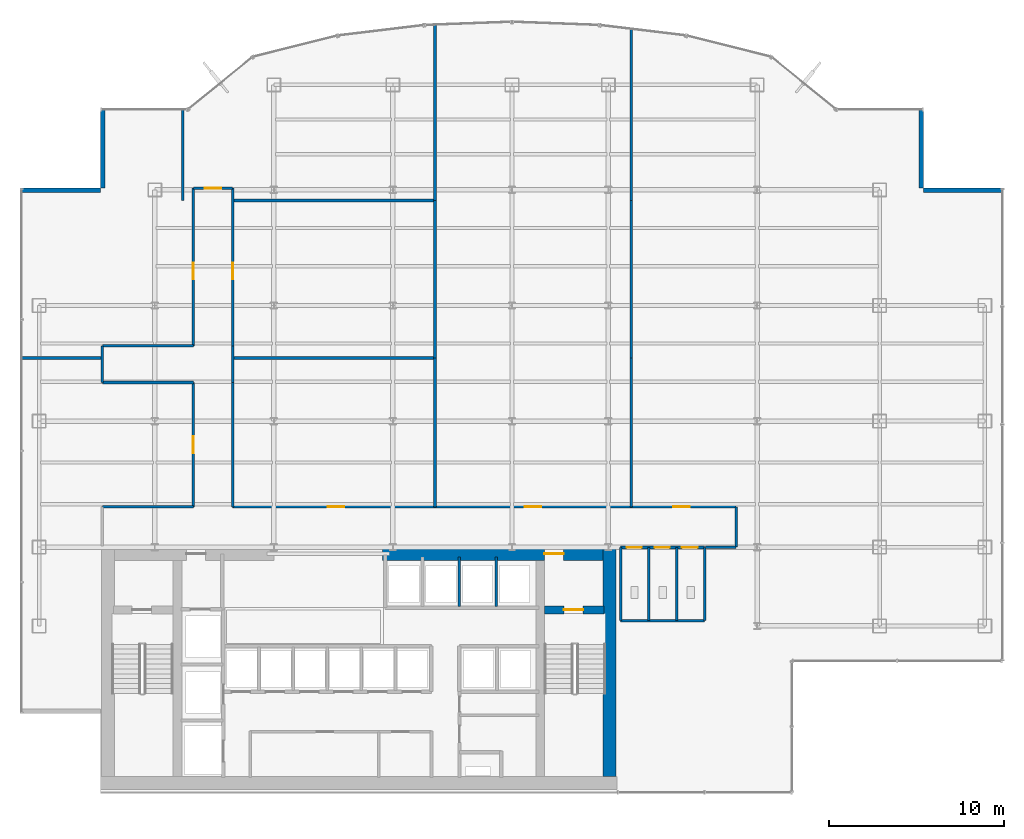
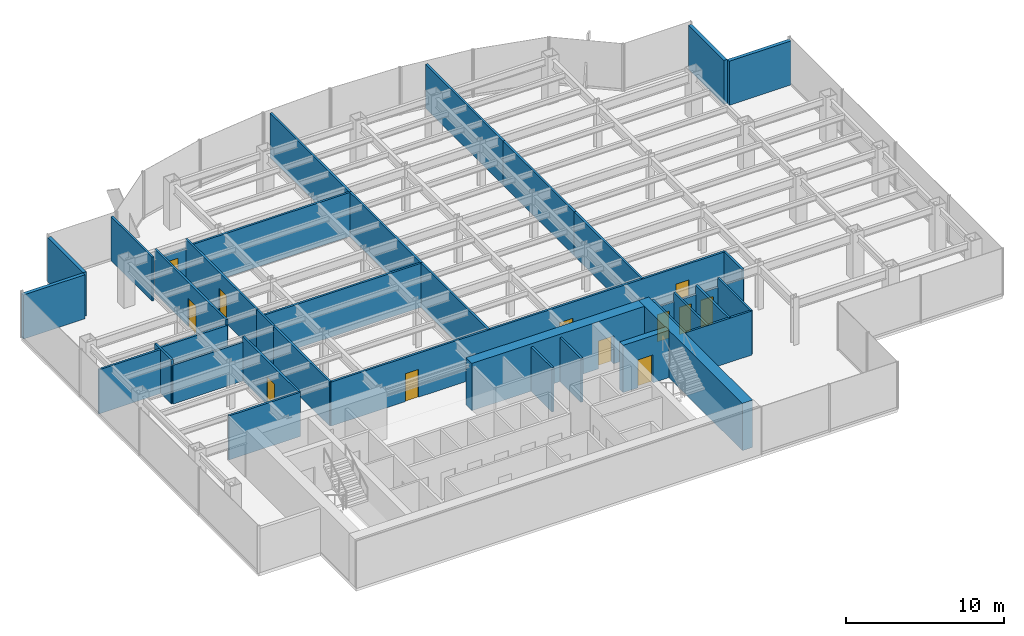
# One storey, part 22 of 26: 38 walls, 12 doors, 12 openings.
"""IFC4 building model written with IfcOpenShell, lengths in metres."""

from ifc_helpers import new_model, si_unit, derived_unit, direction, frame, frame_2d, origin, place, context, subcontext, project, spatial, rectangle, extrude, source, transform, mapped, material, layer, layer_set, type_object, element, fill, save


model = new_model("IFC4")

# Units and contexts
model_context = context("Model", 3, precision=1e-05, world=origin(), true_north=direction((0.0, 1.0)))
body_context = subcontext(model_context, "Body", "Model", "MODEL_VIEW")
ifc_project = project(units=[si_unit("LENGTHUNIT", "METRE"), si_unit("AREAUNIT", "SQUARE_METRE"), si_unit("VOLUMEUNIT", "CUBIC_METRE"), si_unit("PLANEANGLEUNIT", "RADIAN"), si_unit("MASSUNIT", "GRAM", prefix="KILO"), derived_unit("THERMALTRANSMITTANCEUNIT", [(si_unit("POWERUNIT", "WATT"), 1), (si_unit("LENGTHUNIT", "METRE"), -2), (si_unit("THERMODYNAMICTEMPERATUREUNIT", "KELVIN"), -1)])], contexts=[model_context])

# Site, building, storey
site_placement = place(None, origin())
site = spatial("IfcSite", under=ifc_project, at=site_placement, CompositionType="ELEMENT")
building_placement = place(site_placement, origin())
building = spatial("IfcBuilding", under=site, at=building_placement, Name="Skarnbrae Concourse Arena and Tower", CompositionType="ELEMENT")
storey_placement = place(building_placement, frame((0.0, 0.0, 106.89990234375)))
storey = spatial("IfcBuildingStorey", under=building, at=storey_placement, Name="L26", CompositionType="ELEMENT", Elevation=106.89990234375)

# Wall, opening, door
ifc_material_1 = material(Name="Concrete 50 MPa (C50/60)", Category="concrete")
ifc_layer_1 = layer(ifc_material_1, 0.449951171875)
ifc_layer_set_1 = layer_set([ifc_layer_1], Name="Concrete 50 MPa (C50/60)")
wall_type_1 = type_object("IfcWallType", Name="WALL-CORE-450-C50", PredefinedType="SHEAR", material=ifc_layer_set_1)
shared_shape_1 = source(origin(), body_context, "Body", "SweptSolid", [
    extrude(rectangle(XDim=3.389892578125, YDim=0.449951171875, at=frame_2d((1.69482421875, 0.0))), origin(), (0.0, 0.0, 1.0), 3.650146484375),
])
wall_1_placement = place(storey_placement, frame((29.860107421875, 10.419921875, 0.0), z_axis=(0.0, 0.0, 1.0), x_axis=(1.0, 0.0, 0.0)))
wall_1 = element("IfcWall", 1, at=wall_1_placement, inside=storey, type_object=wall_type_1, Name="L26 Rear core shear wall CW-ST2-N", PredefinedType="SHEAR", context=body_context, shape_type="MappedRepresentation", body=[
    mapped(shared_shape_1, transform((0.0, 0.0, 0.0))),
])
opening_1_placement = place(wall_1_placement, frame((1.10009765625, 0.0, 0.0)))
opening_1 = element("IfcOpeningElement", 2, at=opening_1_placement, cuts=wall_1, Name="Opening DT-03", PredefinedType="OPENING", context=body_context, shape_type="SweptSolid", body=[
    extrude(rectangle(XDim=1.10009765625, YDim=2.14990234375, at=frame_2d((0.550048828125, 1.074951171875))), frame((0.0, 0.23486328125, 0.0), z_axis=(0.0, -1.0, 0.0), x_axis=(1.0, 0.0, 0.0)), (0.0, 0.0, 1.0), 0.469970703125),
])
ifc_material_2 = material(Name="Steel CSA G40.21 350W", Category="steel")
door_type_1 = type_object("IfcDoorType", Name="DOOR-FIRE-1100-90M", OperationType="NOTDEFINED", PredefinedType="DOOR", material=ifc_material_2)
shared_shape_2 = source(origin(), body_context, "Body", "SweptSolid", [
    extrude(rectangle(XDim=1.10009765625, YDim=2.14990234375, at=frame_2d((0.550048828125, 1.074951171875))), frame((0.0, 0.02490234375, 0.0), z_axis=(0.0, -1.0, 0.0), x_axis=(1.0, 0.0, 0.0)), (0.0, 0.0, 1.0), 0.050048828125),
])
door_1_placement = place(opening_1_placement, frame((1.10009765625, 0.0, 0.0), z_axis=(0.0, 0.0, 1.0), x_axis=(-1.0, 0.0, 0.0)))
door_1 = element("IfcDoor", 3, at=door_1_placement, inside=storey, type_object=door_type_1, Name="D-0868 Stair ST-2 Door", OperationType="SINGLE_SWING_RIGHT", OverallHeight=2.14990234375, OverallWidth=1.10009765625, PredefinedType="DOOR", context=body_context, shape_type="MappedRepresentation", body=[
    mapped(shared_shape_2, transform((0.0, 0.0, 0.0))),
])
fill(opening_1, door_1)

# Wall
ifc_material_3 = material(Name="Concrete 60 MPa (C60/75)", Category="concrete")
ifc_layer_2 = layer(ifc_material_3, 0.75)
ifc_layer_set_2 = layer_set([ifc_layer_2], Name="Concrete 60 MPa (C60/75)")
wall_type_2 = type_object("IfcWallType", Name="WALL-CORE-750-C60", PredefinedType="SHEAR", material=ifc_layer_set_2)
shared_shape_3 = source(origin(), body_context, "Body", "SweptSolid", [
    extrude(rectangle(XDim=13.10009765625, YDim=0.75, at=frame_2d((6.550048828125, 0.0))), origin(), (0.0, 0.0, 1.0), 3.650146484375),
])
wall_2_placement = place(storey_placement, frame((33.574951171875, 0.89990234375, 0.0), z_axis=(0.0, 0.0, 1.0), x_axis=(0.0, 1.0, 0.0)))
element("IfcWall", 4, at=wall_2_placement, inside=storey, type_object=wall_type_2, Name="L26 Rear core shear wall CW-E", PredefinedType="SHEAR", context=body_context, shape_type="MappedRepresentation", body=[
    mapped(shared_shape_3, transform((0.0, 0.0, 0.0))),
])

# Wall, opening, door
shared_shape_4 = source(origin(), body_context, "Body", "SweptSolid", [
    extrude(rectangle(XDim=12.599853515625, YDim=0.75, at=frame_2d((6.2998046875, 0.0))), origin(), (0.0, 0.0, 1.0), 3.650146484375),
])
wall_3_placement = place(storey_placement, frame((20.60009765625, 13.625, 0.0), z_axis=(0.0, 0.0, 1.0), x_axis=(1.0, 0.0, 0.0)))
wall_3 = element("IfcWall", 5, at=wall_3_placement, inside=storey, type_object=wall_type_2, Name="L26 Rear core shear wall CW-NE", PredefinedType="SHEAR", context=body_context, shape_type="MappedRepresentation", body=[
    mapped(shared_shape_4, transform((0.0, 0.0, 0.0))),
])
opening_2_placement = place(wall_3_placement, frame((9.25, 0.0, 0.0)))
opening_2 = element("IfcOpeningElement", 6, at=opening_2_placement, cuts=wall_3, Name="Opening DT-03", PredefinedType="OPENING", context=body_context, shape_type="SweptSolid", body=[
    extrude(rectangle(XDim=1.10009765625, YDim=2.14990234375, at=frame_2d((0.550048828125, 1.074951171875))), frame((0.0, 0.385009765625, 0.0), z_axis=(0.0, -1.0, 0.0), x_axis=(1.0, 0.0, 0.0)), (0.0, 0.0, 1.0), 0.77001953125),
])
door_2_placement = place(opening_2_placement, origin())
door_2 = element("IfcDoor", 7, at=door_2_placement, inside=storey, type_object=door_type_1, Name="D-0870 Stair ST-2 Vestibule Door", OperationType="SINGLE_SWING_LEFT", OverallHeight=2.14990234375, OverallWidth=1.10009765625, PredefinedType="DOOR", context=body_context, shape_type="MappedRepresentation", body=[
    mapped(shared_shape_2, transform((0.0, 0.0, 0.0))),
])
fill(opening_2, door_2)

# Walls
ifc_material_4 = material(Name="Precast concrete 40 MPa (C40/50)", Category="concrete")
ifc_layer_3 = layer(ifc_material_4, 0.25)
ifc_layer_set_3 = layer_set([ifc_layer_3], Name="Precast concrete 40 MPa (C40/50)")
wall_type_3 = type_object("IfcWallType", Name="WALL-EXT-SPANDREL-250", PredefinedType="STANDARD", material=ifc_layer_set_3)
shared_shape_5 = source(origin(), body_context, "Body", "SweptSolid", [
    extrude(rectangle(XDim=4.5, YDim=0.25, at=frame_2d((2.25, 0.0))), origin(), (0.0, 0.0, 1.0), 3.400146484375),
])
for number, where, z_axis, x_axis, name in (
    (8, (56.0, 34.375, 0.0), (0.0, 0.0, 1.0), (-1.0, 0.0, 0.0), "L26 Notched corner insulated return wall 05"),
    (9, (51.375, 34.5, 0.0), (0.0, 0.0, 1.0), (0.0, 1.0, 0.0), "L26 Notched corner insulated return wall 06"),
    (10, (4.625, 39.0, 0.0), (0.0, 0.0, 1.0), (0.0, -1.0, 0.0), "L26 Notched corner insulated return wall 17"),
    (11, (4.5, 34.375, 0.0), (0.0, 0.0, 1.0), (-1.0, 0.0, 0.0), "L26 Notched corner insulated return wall 18"),
):
    element("IfcWall", number, at=place(storey_placement, frame(where, z_axis=z_axis, x_axis=x_axis)), inside=storey, type_object=wall_type_3, Name=name, PredefinedType="STANDARD", context=body_context, shape_type="MappedRepresentation", body=[
        mapped(shared_shape_5, transform((0.0, 0.0, 0.0))),
    ])
ifc_material_5 = material(Name="Gypsum board on cold-formed steel studs", Category="steel")
ifc_layer_4 = layer(ifc_material_5, 0.14990234375)
ifc_layer_set_4 = layer_set([ifc_layer_4], Name="Gypsum board on cold-formed steel studs")
wall_type_4 = type_object("IfcWallType", Name="WALL-PART-150", PredefinedType="PARTITIONING", material=ifc_layer_set_4)
shared_shape_6 = source(origin(), body_context, "Body", "SweptSolid", [
    extrude(rectangle(XDim=2.849853515625, YDim=0.14990234375, at=frame_2d((1.4248046875, 0.0))), origin(), (0.0, 0.0, 1.0), 3.400146484375),
])
for number, where, z_axis, x_axis, name in (
    (12, (24.989990234375, 10.60009765625, 0.0), (0.0, 0.0, 1.0), (0.0, 1.0, 0.0), "L26 Interior partition wall W-L26-B3N-P2"),
    (13, (27.090087890625, 10.60009765625, 0.0), (0.0, 0.0, 1.0), (0.0, 1.0, 0.0), "L26 Interior partition wall W-L26-B3N-P3"),
):
    element("IfcWall", number, at=place(storey_placement, frame(where, z_axis=z_axis, x_axis=x_axis)), inside=storey, type_object=wall_type_4, Name=name, PredefinedType="PARTITIONING", context=body_context, shape_type="MappedRepresentation", body=[
        mapped(shared_shape_6, transform((0.0, 0.0, 0.0))),
    ])
shared_shape_7 = source(origin(), body_context, "Body", "SweptSolid", [
    extrude(rectangle(XDim=4.800048828125, YDim=0.14990234375, at=frame_2d((2.39990234375, 0.0))), origin(), (0.0, 0.0, 1.0), 3.400146484375),
])
wall_4_placement = place(storey_placement, frame((34.199951171875, 9.800048828125, 0.0), z_axis=(0.0, 0.0, 1.0), x_axis=(1.0, 0.0, 0.0)))
element("IfcWall", 14, at=wall_4_placement, inside=storey, type_object=wall_type_4, Name="L26 Interior partition wall W-L26-WC-S", PredefinedType="PARTITIONING", context=body_context, shape_type="MappedRepresentation", body=[
    mapped(shared_shape_7, transform((0.0, 0.0, 0.0))),
])
shared_shape_8 = source(origin(), body_context, "Body", "SweptSolid", [
    extrude(rectangle(XDim=4.179931640625, YDim=0.14990234375, at=frame_2d((2.08984375, 0.0))), origin(), (0.0, 0.0, 1.0), 3.400146484375),
])
for number, where, z_axis, x_axis, name in (
    (15, (39.0, 9.800048828125, 0.0), (0.0, 0.0, 1.0), (0.0, 1.0, 0.0), "L26 Interior partition wall W-L26-WC-E"),
    (16, (34.199951171875, 9.800048828125, 0.0), (0.0, 0.0, 1.0), (0.0, 1.0, 0.0), "L26 Interior partition wall W-L26-WC-W"),
    (17, (35.800048828125, 9.800048828125, 0.0), (0.0, 0.0, 1.0), (0.0, 1.0, 0.0), "L26 Interior partition wall W-L26-WC-D1"),
    (18, (37.39990234375, 9.800048828125, 0.0), (0.0, 0.0, 1.0), (0.0, 1.0, 0.0), "L26 Interior partition wall W-L26-WC-D2"),
):
    element("IfcWall", number, at=place(storey_placement, frame(where, z_axis=z_axis, x_axis=x_axis)), inside=storey, type_object=wall_type_4, Name=name, PredefinedType="PARTITIONING", context=body_context, shape_type="MappedRepresentation", body=[
        mapped(shared_shape_8, transform((0.0, 0.0, 0.0))),
    ])

# Wall, openings, doors
shared_shape_9 = source(origin(), body_context, "Body", "SweptSolid", [
    extrude(rectangle(XDim=4.800048828125, YDim=0.14990234375, at=frame_2d((2.39990234375, 0.0))), origin(), (0.0, 0.0, 1.0), 2.7021484375),
])
wall_5_placement = place(storey_placement, frame((34.199951171875, 13.97998046875, 0.0), z_axis=(0.0, 0.0, 1.0), x_axis=(1.0, 0.0, 0.0)))
wall_5 = element("IfcWall", 19, at=wall_5_placement, inside=storey, type_object=wall_type_4, Name="L26 Interior partition wall W-L26-WC-N", PredefinedType="PARTITIONING", context=body_context, shape_type="MappedRepresentation", body=[
    mapped(shared_shape_9, transform((0.0, 0.0, 0.0))),
])
opening_3_placement = place(wall_5_placement, frame((0.35009765625, 0.0, 0.0)))
opening_3 = element("IfcOpeningElement", 20, at=opening_3_placement, cuts=wall_5, Name="Opening DT-06", PredefinedType="OPENING", context=body_context, shape_type="SweptSolid", body=[
    extrude(rectangle(XDim=0.85009765625, YDim=2.10009765625, at=frame_2d((0.425048828125, 1.050048828125))), frame((0.0, 0.0849609375, 0.0), z_axis=(0.0, -1.0, 0.0), x_axis=(1.0, 0.0, 0.0)), (0.0, 0.0, 1.0), 0.169921875),
])
opening_4_placement = place(wall_5_placement, frame((1.949951171875, 0.0, 0.0)))
opening_4 = element("IfcOpeningElement", 21, at=opening_4_placement, cuts=wall_5, Name="Opening DT-06", PredefinedType="OPENING", context=body_context, shape_type="SweptSolid", body=[
    extrude(rectangle(XDim=0.85009765625, YDim=2.10009765625, at=frame_2d((0.425048828125, 1.050048828125))), frame((0.0, 0.0849609375, 0.0), z_axis=(0.0, -1.0, 0.0), x_axis=(1.0, 0.0, 0.0)), (0.0, 0.0, 1.0), 0.169921875),
])
opening_5_placement = place(wall_5_placement, frame((3.5, 0.0, 0.0)))
opening_5 = element("IfcOpeningElement", 22, at=opening_5_placement, cuts=wall_5, Name="Opening DT-05", PredefinedType="OPENING", context=body_context, shape_type="SweptSolid", body=[
    extrude(rectangle(XDim=0.89990234375, YDim=2.10009765625, at=frame_2d((0.449951171875, 1.050048828125))), frame((0.0, 0.0849609375, 0.0), z_axis=(0.0, -1.0, 0.0), x_axis=(1.0, 0.0, 0.0)), (0.0, 0.0, 1.0), 0.169921875),
])
ifc_material_6 = material(Name="Architectural oak veneer timber leaf", Category="wood")
door_type_2 = type_object("IfcDoorType", Name="DOOR-INT-850", OperationType="NOTDEFINED", PredefinedType="DOOR", material=ifc_material_6)
shared_shape_10 = source(origin(), body_context, "Body", "SweptSolid", [
    extrude(rectangle(XDim=0.85009765625, YDim=2.10009765625, at=frame_2d((0.425048828125, 1.050048828125))), frame((0.0, 0.02490234375, 0.0), z_axis=(0.0, -1.0, 0.0), x_axis=(1.0, 0.0, 0.0)), (0.0, 0.0, 1.0), 0.050048828125),
])
door_3_placement = place(opening_3_placement, frame((0.85009765625, 0.0, 0.0), z_axis=(0.0, 0.0, 1.0), x_axis=(-1.0, 0.0, 0.0)))
door_3 = element("IfcDoor", 23, at=door_3_placement, inside=storey, type_object=door_type_2, Name="D-0884 Male Washroom Door", OperationType="SINGLE_SWING_LEFT", OverallHeight=2.10009765625, OverallWidth=0.85009765625, PredefinedType="DOOR", context=body_context, shape_type="MappedRepresentation", body=[
    mapped(shared_shape_10, transform((0.0, 0.0, 0.0))),
])
fill(opening_3, door_3)
door_4_placement = place(opening_4_placement, frame((0.85009765625, 0.0, 0.0), z_axis=(0.0, 0.0, 1.0), x_axis=(-1.0, 0.0, 0.0)))
door_4 = element("IfcDoor", 24, at=door_4_placement, inside=storey, type_object=door_type_2, Name="D-0885 Female Washroom Door", OperationType="SINGLE_SWING_RIGHT", OverallHeight=2.10009765625, OverallWidth=0.85009765625, PredefinedType="DOOR", context=body_context, shape_type="MappedRepresentation", body=[
    mapped(shared_shape_10, transform((0.0, 0.0, 0.0))),
])
fill(opening_4, door_4)
door_type_3 = type_object("IfcDoorType", Name="DOOR-INT-900", OperationType="NOTDEFINED", PredefinedType="DOOR", material=ifc_material_6)
shared_shape_11 = source(origin(), body_context, "Body", "SweptSolid", [
    extrude(rectangle(XDim=0.89990234375, YDim=2.10009765625, at=frame_2d((0.449951171875, 1.050048828125))), frame((0.0, 0.02490234375, 0.0), z_axis=(0.0, -1.0, 0.0), x_axis=(1.0, 0.0, 0.0)), (0.0, 0.0, 1.0), 0.050048828125),
])
door_5_placement = place(opening_5_placement, frame((0.89990234375, 0.0, 0.0), z_axis=(0.0, 0.0, 1.0), x_axis=(-1.0, 0.0, 0.0)))
door_5 = element("IfcDoor", 25, at=door_5_placement, inside=storey, type_object=door_type_3, Name="D-0886 Accessible WC Door", OperationType="SINGLE_SWING_LEFT", OverallHeight=2.10009765625, OverallWidth=0.89990234375, PredefinedType="DOOR", context=body_context, shape_type="MappedRepresentation", body=[
    mapped(shared_shape_11, transform((0.0, 0.0, 0.0))),
])
fill(opening_5, door_5)

# Wall
ifc_layer_5 = layer(ifc_material_5, 0.14990234375)
ifc_layer_set_5 = layer_set([ifc_layer_5], Name="Gypsum board on cold-formed steel studs")
wall_type_5 = type_object("IfcWallType", Name="WALL-PART-150-1HR", PredefinedType="PARTITIONING", material=ifc_layer_set_5)
shared_shape_12 = source(origin(), body_context, "Body", "SweptSolid", [
    extrude(rectangle(XDim=5.199951171875, YDim=0.14990234375, at=frame_2d((2.60009765625, 0.0))), origin(), (0.0, 0.0, 1.0), 3.400146484375),
])
wall_6_placement = place(storey_placement, frame((4.60009765625, 16.300048828125, 0.0), z_axis=(0.0, 0.0, 1.0), x_axis=(1.0, 0.0, 0.0)))
element("IfcWall", 26, at=wall_6_placement, inside=storey, type_object=wall_type_5, Name="L26 Interior partition wall W-L26-COR-02", PredefinedType="PARTITIONING", context=body_context, shape_type="MappedRepresentation", body=[
    mapped(shared_shape_12, transform((0.0, 0.0, 0.0))),
])

# Wall, opening, door
shared_shape_13 = source(origin(), body_context, "Body", "SweptSolid", [
    extrude(rectangle(XDim=7.099853515625, YDim=0.14990234375, at=frame_2d((3.5498046875, 0.0))), origin(), (0.0, 0.0, 1.0), 3.400146484375),
])
wall_7_placement = place(storey_placement, frame((9.800048828125, 16.300048828125, 0.0), z_axis=(0.0, 0.0, 1.0), x_axis=(0.0, 1.0, 0.0)))
wall_7 = element("IfcWall", 27, at=wall_7_placement, inside=storey, type_object=wall_type_5, Name="L26 Interior partition wall W-L26-COR-03", PredefinedType="PARTITIONING", context=body_context, shape_type="MappedRepresentation", body=[
    mapped(shared_shape_13, transform((0.0, 0.0, 0.0))),
])
opening_6_placement = place(wall_7_placement, frame((3.074951171875, 0.0, 0.0)))
opening_6 = element("IfcOpeningElement", 28, at=opening_6_placement, cuts=wall_7, Name="Opening DT-04", PredefinedType="OPENING", context=body_context, shape_type="SweptSolid", body=[
    extrude(rectangle(XDim=0.949951171875, YDim=2.14990234375, at=frame_2d((0.47509765625, 1.074951171875))), frame((0.0, 0.0849609375, 0.0), z_axis=(0.0, -1.0, 0.0), x_axis=(1.0, 0.0, 0.0)), (0.0, 0.0, 1.0), 0.169921875),
])
door_type_4 = type_object("IfcDoorType", Name="DOOR-INT-950-45M", OperationType="NOTDEFINED", PredefinedType="DOOR", material=ifc_material_2)
shared_shape_14 = source(origin(), body_context, "Body", "SweptSolid", [
    extrude(rectangle(XDim=0.949951171875, YDim=2.14990234375, at=frame_2d((0.47509765625, 1.074951171875))), frame((0.0, 0.02490234375, 0.0), z_axis=(0.0, -1.0, 0.0), x_axis=(1.0, 0.0, 0.0)), (0.0, 0.0, 1.0), 0.050048828125),
])
door_6_placement = place(opening_6_placement, origin())
door_6 = element("IfcDoor", 29, at=door_6_placement, inside=storey, type_object=door_type_4, Name="D-0887 L26 Suite Door 01", OperationType="SINGLE_SWING_RIGHT", OverallHeight=2.14990234375, OverallWidth=0.949951171875, PredefinedType="DOOR", context=body_context, shape_type="MappedRepresentation", body=[
    mapped(shared_shape_14, transform((0.0, 0.0, 0.0))),
])
fill(opening_6, door_6)

# Walls
wall_8_placement = place(storey_placement, frame((12.050048828125, 23.39990234375, 0.0), z_axis=(0.0, 0.0, 1.0), x_axis=(0.0, -1.0, 0.0)))
element("IfcWall", 30, at=wall_8_placement, inside=storey, type_object=wall_type_5, Name="L26 Interior partition wall W-L26-COR-11", PredefinedType="PARTITIONING", context=body_context, shape_type="MappedRepresentation", body=[
    mapped(shared_shape_13, transform((0.0, 0.0, 0.0))),
])
shared_shape_15 = source(origin(), body_context, "Body", "SweptSolid", [
    extrude(rectangle(XDim=5.199951171875, YDim=0.14990234375, at=frame_2d((2.60009765625, 0.0))), origin(), (0.0, 0.0, 1.0), 2.988037109375),
])
for number, where, z_axis, x_axis, name in (
    (31, (9.800048828125, 23.39990234375, 0.0), (0.0, 0.0, 1.0), (-1.0, 0.0, 0.0), "L26 Interior partition wall W-L26-COR-04"),
    (32, (4.60009765625, 25.5, 0.0), (0.0, 0.0, 1.0), (1.0, 0.0, 0.0), "L26 Interior partition wall W-L26-COR-06"),
):
    element("IfcWall", number, at=place(storey_placement, frame(where, z_axis=z_axis, x_axis=x_axis)), inside=storey, type_object=wall_type_5, Name=name, PredefinedType="PARTITIONING", context=body_context, shape_type="MappedRepresentation", body=[
        mapped(shared_shape_15, transform((0.0, 0.0, 0.0))),
    ])
shared_shape_16 = source(origin(), body_context, "Body", "SweptSolid", [
    extrude(rectangle(XDim=2.10009765625, YDim=0.14990234375, at=frame_2d((1.050048828125, 0.0))), origin(), (0.0, 0.0, 1.0), 3.400146484375),
])
for number, where, z_axis, x_axis, name in (
    (33, (4.60009765625, 23.39990234375, 0.0), (0.0, 0.0, 1.0), (0.0, 1.0, 0.0), "L26 Interior partition wall W-L26-COR-05"),
    (34, (12.050048828125, 25.5, 0.0), (0.0, 0.0, 1.0), (0.0, -1.0, 0.0), "L26 Interior partition wall W-L26-COR-10"),
):
    element("IfcWall", number, at=place(storey_placement, frame(where, z_axis=z_axis, x_axis=x_axis)), inside=storey, type_object=wall_type_5, Name=name, PredefinedType="PARTITIONING", context=body_context, shape_type="MappedRepresentation", body=[
        mapped(shared_shape_16, transform((0.0, 0.0, 0.0))),
    ])

# Wall, opening, door
shared_shape_17 = source(origin(), body_context, "Body", "SweptSolid", [
    extrude(rectangle(XDim=9.0, YDim=0.14990234375, at=frame_2d((4.5, 0.0))), origin(), (0.0, 0.0, 1.0), 3.400146484375),
])
wall_9_placement = place(storey_placement, frame((9.800048828125, 25.5, 0.0), z_axis=(0.0, 0.0, 1.0), x_axis=(0.0, 1.0, 0.0)))
wall_9 = element("IfcWall", 35, at=wall_9_placement, inside=storey, type_object=wall_type_5, Name="L26 Interior partition wall W-L26-COR-07", PredefinedType="PARTITIONING", context=body_context, shape_type="MappedRepresentation", body=[
    mapped(shared_shape_17, transform((0.0, 0.0, 0.0))),
])
opening_7_placement = place(wall_9_placement, frame((3.804931640625, 0.0, 0.0)))
opening_7 = element("IfcOpeningElement", 36, at=opening_7_placement, cuts=wall_9, Name="Opening DT-04", PredefinedType="OPENING", context=body_context, shape_type="SweptSolid", body=[
    extrude(rectangle(XDim=0.949951171875, YDim=2.14990234375, at=frame_2d((0.47509765625, 1.074951171875))), frame((0.0, 0.0849609375, 0.0), z_axis=(0.0, -1.0, 0.0), x_axis=(1.0, 0.0, 0.0)), (0.0, 0.0, 1.0), 0.169921875),
])
door_7_placement = place(opening_7_placement, origin())
door_7 = element("IfcDoor", 37, at=door_7_placement, inside=storey, type_object=door_type_4, Name="D-0888 L26 Suite Door 02", OperationType="SINGLE_SWING_LEFT", OverallHeight=2.14990234375, OverallWidth=0.949951171875, PredefinedType="DOOR", context=body_context, shape_type="MappedRepresentation", body=[
    mapped(shared_shape_14, transform((0.0, 0.0, 0.0))),
])
fill(opening_7, door_7)

wall_10_placement = place(storey_placement, frame((12.050048828125, 34.5, 0.0), z_axis=(0.0, 0.0, 1.0), x_axis=(0.0, -1.0, 0.0)))
wall_10 = element("IfcWall", 38, at=wall_10_placement, inside=storey, type_object=wall_type_5, Name="L26 Interior partition wall W-L26-COR-09", PredefinedType="PARTITIONING", context=body_context, shape_type="MappedRepresentation", body=[
    mapped(shared_shape_17, transform((0.0, 0.0, 0.0))),
])
opening_8_placement = place(wall_10_placement, frame((4.2451171875, 0.0, 0.0)))
opening_8 = element("IfcOpeningElement", 39, at=opening_8_placement, cuts=wall_10, Name="Opening DT-04", PredefinedType="OPENING", context=body_context, shape_type="SweptSolid", body=[
    extrude(rectangle(XDim=0.949951171875, YDim=2.14990234375, at=frame_2d((0.47509765625, 1.074951171875))), frame((0.0, 0.0849609375, 0.0), z_axis=(0.0, -1.0, 0.0), x_axis=(1.0, 0.0, 0.0)), (0.0, 0.0, 1.0), 0.169921875),
])
door_8_placement = place(opening_8_placement, origin())
door_8 = element("IfcDoor", 40, at=door_8_placement, inside=storey, type_object=door_type_4, Name="D-0891 L26 Suite Door 05", OperationType="SINGLE_SWING_RIGHT", OverallHeight=2.14990234375, OverallWidth=0.949951171875, PredefinedType="DOOR", context=body_context, shape_type="MappedRepresentation", body=[
    mapped(shared_shape_14, transform((0.0, 0.0, 0.0))),
])
fill(opening_8, door_8)

# Walls
for number, where, z_axis, x_axis, name in (
    (41, (23.60009765625, 33.800048828125, 0.0), (0.0, 0.0, 1.0), (0.0, -1.0, 0.0), "L26 Interior partition wall W-L26-DEM-20"),
    (42, (34.800048828125, 33.800048828125, 0.0), (0.0, 0.0, 1.0), (0.0, -1.0, 0.0), "L26 Interior partition wall W-L26-DEM-23"),
):
    element("IfcWall", number, at=place(storey_placement, frame(where, z_axis=z_axis, x_axis=x_axis)), inside=storey, type_object=wall_type_4, Name=name, PredefinedType="PARTITIONING", context=body_context, shape_type="MappedRepresentation", body=[
        mapped(shared_shape_17, transform((0.0, 0.0, 0.0))),
    ])

# Wall, opening, door
shared_shape_18 = source(origin(), body_context, "Body", "SweptSolid", [
    extrude(rectangle(XDim=2.25, YDim=0.14990234375, at=frame_2d((1.125, 0.0))), origin(), (0.0, 0.0, 1.0), 2.7021484375),
])
wall_11_placement = place(storey_placement, frame((9.800048828125, 34.5, 0.0), z_axis=(0.0, 0.0, 1.0), x_axis=(1.0, 0.0, 0.0)))
wall_11 = element("IfcWall", 43, at=wall_11_placement, inside=storey, type_object=wall_type_5, Name="L26 Interior partition wall W-L26-COR-08", PredefinedType="PARTITIONING", context=body_context, shape_type="MappedRepresentation", body=[
    mapped(shared_shape_18, transform((0.0, 0.0, 0.0))),
])
opening_9_placement = place(wall_11_placement, frame((0.64990234375, 0.0, 0.0)))
opening_9 = element("IfcOpeningElement", 44, at=opening_9_placement, cuts=wall_11, Name="Opening DT-04", PredefinedType="OPENING", context=body_context, shape_type="SweptSolid", body=[
    extrude(rectangle(XDim=0.949951171875, YDim=2.14990234375, at=frame_2d((0.47509765625, 1.074951171875))), frame((0.0, 0.0849609375, 0.0), z_axis=(0.0, -1.0, 0.0), x_axis=(1.0, 0.0, 0.0)), (0.0, 0.0, 1.0), 0.169921875),
])
door_9_placement = place(opening_9_placement, origin())
door_9 = element("IfcDoor", 45, at=door_9_placement, inside=storey, type_object=door_type_4, Name="D-0889 L26 Suite Door 03", OperationType="SINGLE_SWING_RIGHT", OverallHeight=2.14990234375, OverallWidth=0.949951171875, PredefinedType="DOOR", context=body_context, shape_type="MappedRepresentation", body=[
    mapped(shared_shape_14, transform((0.0, 0.0, 0.0))),
])
fill(opening_9, door_9)

# Wall, openings, doors
shared_shape_19 = source(origin(), body_context, "Body", "SweptSolid", [
    extrude(rectangle(XDim=28.75, YDim=0.14990234375, at=frame_2d((14.375, 0.0))), origin(), (0.0, 0.0, 1.0), 3.400146484375),
])
wall_12_placement = place(storey_placement, frame((12.050048828125, 16.300048828125, 0.0), z_axis=(0.0, 0.0, 1.0), x_axis=(1.0, 0.0, 0.0)))
wall_12 = element("IfcWall", 46, at=wall_12_placement, inside=storey, type_object=wall_type_5, Name="L26 Interior partition wall W-L26-COR-12", PredefinedType="PARTITIONING", context=body_context, shape_type="MappedRepresentation", body=[
    mapped(shared_shape_19, transform((0.0, 0.0, 0.0))),
])
opening_10_placement = place(wall_12_placement, frame((5.429931640625, 0.0, 0.0)))
opening_10 = element("IfcOpeningElement", 47, at=opening_10_placement, cuts=wall_12, Name="Opening DT-04", PredefinedType="OPENING", context=body_context, shape_type="SweptSolid", body=[
    extrude(rectangle(XDim=0.949951171875, YDim=2.14990234375, at=frame_2d((0.47509765625, 1.074951171875))), frame((0.0, 0.0849609375, 0.0), z_axis=(0.0, -1.0, 0.0), x_axis=(1.0, 0.0, 0.0)), (0.0, 0.0, 1.0), 0.169921875),
])
opening_11_placement = place(wall_12_placement, frame((16.675048828125, 0.0, 0.0)))
opening_11 = element("IfcOpeningElement", 48, at=opening_11_placement, cuts=wall_12, Name="Opening DT-04", PredefinedType="OPENING", context=body_context, shape_type="SweptSolid", body=[
    extrude(rectangle(XDim=0.949951171875, YDim=2.14990234375, at=frame_2d((0.47509765625, 1.074951171875))), frame((0.0, 0.0849609375, 0.0), z_axis=(0.0, -1.0, 0.0), x_axis=(1.0, 0.0, 0.0)), (0.0, 0.0, 1.0), 0.169921875),
])
opening_12_placement = place(wall_12_placement, frame((25.14501953125, 0.0, 0.0)))
opening_12 = element("IfcOpeningElement", 49, at=opening_12_placement, cuts=wall_12, Name="Opening DT-04", PredefinedType="OPENING", context=body_context, shape_type="SweptSolid", body=[
    extrude(rectangle(XDim=0.949951171875, YDim=2.14990234375, at=frame_2d((0.47509765625, 1.074951171875))), frame((0.0, 0.0849609375, 0.0), z_axis=(0.0, -1.0, 0.0), x_axis=(1.0, 0.0, 0.0)), (0.0, 0.0, 1.0), 0.169921875),
])
door_10_placement = place(opening_10_placement, origin())
door_10 = element("IfcDoor", 50, at=door_10_placement, inside=storey, type_object=door_type_4, Name="D-0890 L26 Suite Door 04", OperationType="SINGLE_SWING_LEFT", OverallHeight=2.14990234375, OverallWidth=0.949951171875, PredefinedType="DOOR", context=body_context, shape_type="MappedRepresentation", body=[
    mapped(shared_shape_14, transform((0.0, 0.0, 0.0))),
])
fill(opening_10, door_10)
door_11_placement = place(opening_11_placement, origin())
door_11 = element("IfcDoor", 51, at=door_11_placement, inside=storey, type_object=door_type_4, Name="D-0892 L26 Suite Door 06", OperationType="SINGLE_SWING_LEFT", OverallHeight=2.14990234375, OverallWidth=0.949951171875, PredefinedType="DOOR", context=body_context, shape_type="MappedRepresentation", body=[
    mapped(shared_shape_14, transform((0.0, 0.0, 0.0))),
])
fill(opening_11, door_11)
door_12_placement = place(opening_12_placement, origin())
door_12 = element("IfcDoor", 52, at=door_12_placement, inside=storey, type_object=door_type_4, Name="D-0893 L26 Suite Door 07", OperationType="SINGLE_SWING_RIGHT", OverallHeight=2.14990234375, OverallWidth=0.949951171875, PredefinedType="DOOR", context=body_context, shape_type="MappedRepresentation", body=[
    mapped(shared_shape_14, transform((0.0, 0.0, 0.0))),
])
fill(opening_12, door_12)

# Walls
shared_shape_20 = source(origin(), body_context, "Body", "SweptSolid", [
    extrude(rectangle(XDim=2.300048828125, YDim=0.14990234375, at=frame_2d((1.14990234375, 0.0))), origin(), (0.0, 0.0, 1.0), 3.400146484375),
])
wall_13_placement = place(storey_placement, frame((40.800048828125, 16.300048828125, 0.0), z_axis=(0.0, 0.0, 1.0), x_axis=(0.0, -1.0, 0.0)))
element("IfcWall", 53, at=wall_13_placement, inside=storey, type_object=wall_type_5, Name="L26 Interior partition wall W-L26-COR-13", PredefinedType="PARTITIONING", context=body_context, shape_type="MappedRepresentation", body=[
    mapped(shared_shape_20, transform((0.0, 0.0, 0.0))),
])
shared_shape_21 = source(origin(), body_context, "Body", "SweptSolid", [
    extrude(rectangle(XDim=1.75, YDim=0.14990234375, at=frame_2d((0.875, 0.0))), origin(), (0.0, 0.0, 1.0), 2.7021484375),
])
wall_14_placement = place(storey_placement, frame((40.800048828125, 14.0, 0.0), z_axis=(0.0, 0.0, 1.0), x_axis=(-1.0, 0.0, 0.0)))
element("IfcWall", 54, at=wall_14_placement, inside=storey, type_object=wall_type_5, Name="L26 Interior partition wall W-L26-COR-14", PredefinedType="PARTITIONING", context=body_context, shape_type="MappedRepresentation", body=[
    mapped(shared_shape_21, transform((0.0, 0.0, 0.0))),
])
shared_shape_22 = source(origin(), body_context, "Body", "SweptSolid", [
    extrude(rectangle(XDim=4.580078125, YDim=0.14990234375, at=frame_2d((2.2900390625, 0.0))), origin(), (0.0, 0.0, 1.0), 3.400146484375),
])
wall_15_placement = place(storey_placement, frame((0.02001953125, 24.800048828125, 0.0), z_axis=(0.0, 0.0, 1.0), x_axis=(1.0, 0.0, 0.0)))
element("IfcWall", 55, at=wall_15_placement, inside=storey, type_object=wall_type_4, Name="L26 Interior partition wall W-L26-DEM-15", PredefinedType="PARTITIONING", context=body_context, shape_type="MappedRepresentation", body=[
    mapped(shared_shape_22, transform((0.0, 0.0, 0.0))),
])
shared_shape_23 = source(origin(), body_context, "Body", "SweptSolid", [
    extrude(rectangle(XDim=5.179931640625, YDim=0.14990234375, at=frame_2d((2.58984375, 0.0))), origin(), (0.0, 0.0, 1.0), 3.400146484375),
])
wall_16_placement = place(storey_placement, frame((9.199951171875, 38.97998046875, 0.0), z_axis=(0.0, 0.0, 1.0), x_axis=(0.0, -1.0, 0.0)))
element("IfcWall", 56, at=wall_16_placement, inside=storey, type_object=wall_type_4, Name="L26 Interior partition wall W-L26-DEM-16", PredefinedType="PARTITIONING", context=body_context, shape_type="MappedRepresentation", body=[
    mapped(shared_shape_23, transform((0.0, 0.0, 0.0))),
])
shared_shape_24 = source(origin(), body_context, "Body", "SweptSolid", [
    extrude(rectangle(XDim=11.550048828125, YDim=0.14990234375, at=frame_2d((5.77490234375, 0.0))), origin(), (0.0, 0.0, 1.0), 3.400146484375),
])
for number, where, z_axis, x_axis, name in (
    (57, (12.050048828125, 24.800048828125, 0.0), (0.0, 0.0, 1.0), (1.0, 0.0, 0.0), "L26 Interior partition wall W-L26-DEM-17"),
    (58, (23.60009765625, 33.800048828125, 0.0), (0.0, 0.0, 1.0), (-1.0, 0.0, 0.0), "L26 Interior partition wall W-L26-DEM-18"),
):
    element("IfcWall", number, at=place(storey_placement, frame(where, z_axis=z_axis, x_axis=x_axis)), inside=storey, type_object=wall_type_4, Name=name, PredefinedType="PARTITIONING", context=body_context, shape_type="MappedRepresentation", body=[
        mapped(shared_shape_24, transform((0.0, 0.0, 0.0))),
    ])
shared_shape_25 = source(origin(), body_context, "Body", "SweptSolid", [
    extrude(rectangle(XDim=8.5, YDim=0.14990234375, at=frame_2d((4.25, 0.0))), origin(), (0.0, 0.0, 1.0), 3.400146484375),
])
for number, where, z_axis, x_axis, name in (
    (59, (23.60009765625, 24.800048828125, 0.0), (0.0, 0.0, 1.0), (0.0, -1.0, 0.0), "L26 Interior partition wall W-L26-DEM-19"),
    (60, (34.800048828125, 24.800048828125, 0.0), (0.0, 0.0, 1.0), (0.0, -1.0, 0.0), "L26 Interior partition wall W-L26-DEM-24"),
):
    element("IfcWall", number, at=place(storey_placement, frame(where, z_axis=z_axis, x_axis=x_axis)), inside=storey, type_object=wall_type_4, Name=name, PredefinedType="PARTITIONING", context=body_context, shape_type="MappedRepresentation", body=[
        mapped(shared_shape_25, transform((0.0, 0.0, 0.0))),
    ])
shared_shape_26 = source(origin(), body_context, "Body", "SweptSolid", [
    extrude(rectangle(XDim=10.016357421875, YDim=0.14990234375, at=frame_2d((5.00830078125, 0.0))), origin(), (0.0, 0.0, 1.0), 3.400146484375),
])
wall_17_placement = place(storey_placement, frame((23.60009765625, 43.81640625, 0.0), z_axis=(0.0, 0.0, 1.0), x_axis=(0.0, -1.0, 0.0)))
element("IfcWall", 61, at=wall_17_placement, inside=storey, type_object=wall_type_4, Name="L26 Interior partition wall W-L26-DEM-21", PredefinedType="PARTITIONING", context=body_context, shape_type="MappedRepresentation", body=[
    mapped(shared_shape_26, transform((0.0, 0.0, 0.0))),
])
shared_shape_27 = source(origin(), body_context, "Body", "SweptSolid", [
    extrude(rectangle(XDim=9.775634765625, YDim=0.14990234375, at=frame_2d((4.8876953125, 0.0))), origin(), (0.0, 0.0, 1.0), 3.400146484375),
])
wall_18_placement = place(storey_placement, frame((34.800048828125, 43.57568359375, 0.0), z_axis=(0.0, 0.0, 1.0), x_axis=(0.0, -1.0, 0.0)))
element("IfcWall", 62, at=wall_18_placement, inside=storey, type_object=wall_type_4, Name="L26 Interior partition wall W-L26-DEM-22", PredefinedType="PARTITIONING", context=body_context, shape_type="MappedRepresentation", body=[
    mapped(shared_shape_27, transform((0.0, 0.0, 0.0))),
])

save(model, "model.ifc")
